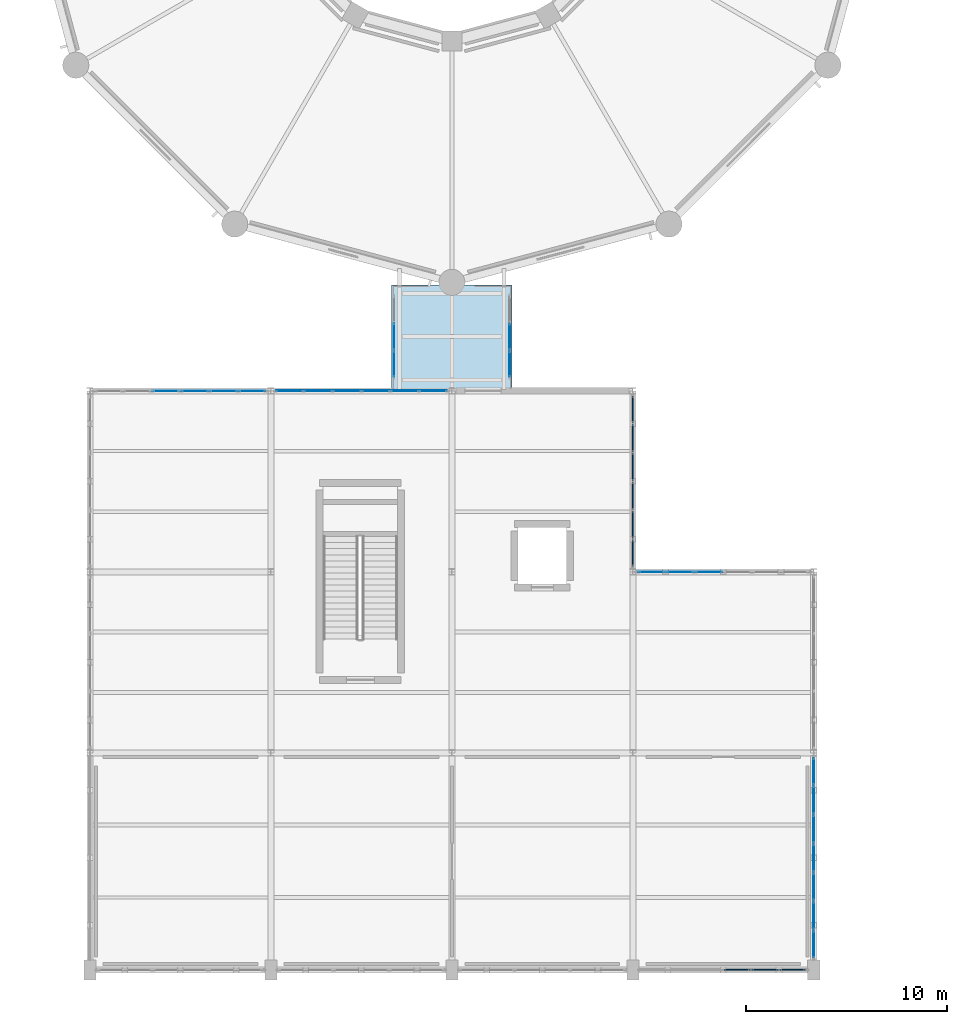
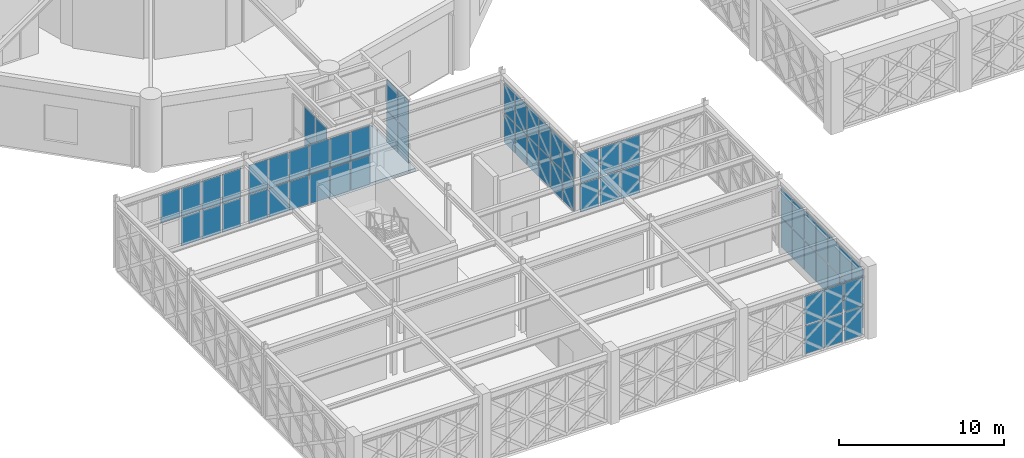
# One storey, part 121 of 155: 65 plates, 1 slab, 8 elements without a shape of their own.
"""IFC4 building model written with IfcOpenShell, lengths in metres."""

from ifc_helpers import new_model, si_unit, direction, frame, origin, origin_2d, place, context, subcontext, project, spatial, polyline, rectangle, outline, extrude, material, layer, layer_set, type_object, element, aggregate, save


model = new_model("IFC4")

# Units and contexts
model_context = context("Model", 3, precision=1e-05, world=origin(), true_north=direction((0.0, 1.0)))
body_context = subcontext(model_context, "Body", "Model", "MODEL_VIEW")
ifc_project = project(units=[si_unit("LENGTHUNIT", "METRE"), si_unit("AREAUNIT", "SQUARE_METRE"), si_unit("VOLUMEUNIT", "CUBIC_METRE"), si_unit("PLANEANGLEUNIT", "RADIAN"), si_unit("MASSUNIT", "GRAM", prefix="KILO")], contexts=[model_context])

# Site, building, storey
site_placement = place(None, origin())
site = spatial("IfcSite", under=ifc_project, at=site_placement, CompositionType="ELEMENT")
building_placement = place(site_placement, origin())
building = spatial("IfcBuilding", under=site, at=building_placement, Name="Haizhuo Lancet Aquarium", CompositionType="ELEMENT")
storey_placement = place(building_placement, frame((0.0, 0.0, 10.800048828125)))
storey = spatial("IfcBuildingStorey", under=building, at=storey_placement, Name="L02", CompositionType="ELEMENT", Elevation=10.800048828125)

# Curtain wall, plates
ifc_material_1 = material(Name="Aluminium 6063-T6", Category="aluminium")
curtain_wall_type_1 = type_object("IfcCurtainWallType", Name="CWO-8610x4460", PredefinedType="NOTDEFINED", material=ifc_material_1)
curtain_wall_1_placement = place(storey_placement, origin())
curtain_wall_1 = element("IfcCurtainWall", 1, at=curtain_wall_1_placement, inside=storey, type_object=curtain_wall_type_1, Name="L02 curtain wall CW-V4-L02-105", PredefinedType="NOTDEFINED")
ifc_material_2 = material(Name="Laminated Low-E Glass", Category="glass")
ifc_layer_1 = layer(ifc_material_2, 0.028076171875)
ifc_layer_set_1 = layer_set([ifc_layer_1], Name="Laminated Low-E Glass")
plate_type_1 = type_object("IfcPlateType", Name="CW-PNL-1", PredefinedType="CURTAIN_PANEL", material=ifc_layer_set_1)
plate_1_placement = place(storey_placement, frame((9.93310546875, -36.0, 0.08056640625), z_axis=(0.0, 0.0, 1.0), x_axis=(1.0, 0.0, 0.0)))
plate_1 = element("IfcPlate", 2, at=plate_1_placement, type_object=plate_type_1, Name="CWO-86x44 panel 1.1", PredefinedType="CURTAIN_PANEL", context=body_context, shape_type="SweptSolid", body=[
    extrude(rectangle(XDim=1.31494140625, YDim=0.028076171875, at=origin_2d()), origin(), (0.0, 0.0, 1.0), 2.111083984375),
])
plate_2_placement = place(storey_placement, frame((9.93310546875, -36.0, 2.271484375), z_axis=(0.0, 0.0, 1.0), x_axis=(1.0, 0.0, 0.0)))
plate_2 = element("IfcPlate", 3, at=plate_2_placement, type_object=plate_type_1, Name="CWO-86x44 panel 1.2", PredefinedType="CURTAIN_PANEL", context=body_context, shape_type="SweptSolid", body=[
    extrude(rectangle(XDim=1.31494140625, YDim=0.028076171875, at=origin_2d()), origin(), (0.0, 0.0, 1.0), 2.111083984375),
])
plate_3_placement = place(storey_placement, frame((11.347900390625, -36.0, 0.08056640625), z_axis=(0.0, 0.0, 1.0), x_axis=(1.0, 0.0, 0.0)))
plate_3 = element("IfcPlate", 4, at=plate_3_placement, type_object=plate_type_1, Name="CWO-86x44 panel 2.1", PredefinedType="CURTAIN_PANEL", context=body_context, shape_type="SweptSolid", body=[
    extrude(rectangle(XDim=1.35498046875, YDim=0.028076171875, at=origin_2d()), origin(), (0.0, 0.0, 1.0), 2.111083984375),
])
plate_4_placement = place(storey_placement, frame((11.347900390625, -36.0, 2.271484375), z_axis=(0.0, 0.0, 1.0), x_axis=(1.0, 0.0, 0.0)))
plate_4 = element("IfcPlate", 5, at=plate_4_placement, type_object=plate_type_1, Name="CWO-86x44 panel 2.2", PredefinedType="CURTAIN_PANEL", context=body_context, shape_type="SweptSolid", body=[
    extrude(rectangle(XDim=1.35498046875, YDim=0.028076171875, at=origin_2d()), origin(), (0.0, 0.0, 1.0), 2.111083984375),
])
plate_5_placement = place(storey_placement, frame((12.781982421875, -36.0, 0.08056640625), z_axis=(0.0, 0.0, 1.0), x_axis=(1.0, 0.0, 0.0)))
plate_5 = element("IfcPlate", 6, at=plate_5_placement, type_object=plate_type_1, Name="CWO-86x44 panel 3.1", PredefinedType="CURTAIN_PANEL", context=body_context, shape_type="SweptSolid", body=[
    extrude(rectangle(XDim=1.35498046875, YDim=0.028076171875, at=origin_2d()), origin(), (0.0, 0.0, 1.0), 2.111083984375),
])
plate_6_placement = place(storey_placement, frame((12.781982421875, -36.0, 2.271484375), z_axis=(0.0, 0.0, 1.0), x_axis=(1.0, 0.0, 0.0)))
plate_6 = element("IfcPlate", 7, at=plate_6_placement, type_object=plate_type_1, Name="CWO-86x44 panel 3.2", PredefinedType="CURTAIN_PANEL", context=body_context, shape_type="SweptSolid", body=[
    extrude(rectangle(XDim=1.35498046875, YDim=0.028076171875, at=origin_2d()), origin(), (0.0, 0.0, 1.0), 2.111083984375),
])
aggregate(curtain_wall_1, [plate_1, plate_2, plate_3, plate_4, plate_5, plate_6])

curtain_wall_2_placement = place(storey_placement, origin())
curtain_wall_2 = element("IfcCurtainWall", 8, at=curtain_wall_2_placement, inside=storey, type_object=curtain_wall_type_1, Name="L02 curtain wall CW-V4-L02-102", PredefinedType="NOTDEFINED")
ifc_layer_2 = layer(ifc_material_2, 0.033935546875)
ifc_layer_set_2 = layer_set([ifc_layer_2], Name="Laminated Low-E Glass")
plate_type_2 = type_object("IfcPlateType", Name="CW-PNL-2", PredefinedType="CURTAIN_PANEL", material=ifc_layer_set_2)
plate_7_placement = place(storey_placement, frame((-14.218017578125, -27.0, 2.271484375), z_axis=(0.0, 0.0, 1.0), x_axis=(1.0, 0.0, 0.0)))
plate_7 = element("IfcPlate", 9, at=plate_7_placement, type_object=plate_type_2, Name="CWO-86x44 panel 3.2", PredefinedType="CURTAIN_PANEL", context=body_context, shape_type="SweptSolid", body=[
    extrude(rectangle(XDim=1.35498046875, YDim=0.033935546875, at=origin_2d()), origin(), (0.0, 0.0, 1.0), 2.111083984375),
])
plate_8_placement = place(storey_placement, frame((-12.782958984375, -27.0, 0.08056640625), z_axis=(0.0, 0.0, 1.0), x_axis=(1.0, 0.0, 0.0)))
plate_8 = element("IfcPlate", 10, at=plate_8_placement, type_object=plate_type_2, Name="CWO-86x44 panel 4.1", PredefinedType="CURTAIN_PANEL", context=body_context, shape_type="SweptSolid", body=[
    extrude(rectangle(XDim=1.35498046875, YDim=0.033935546875, at=origin_2d()), origin(), (0.0, 0.0, 1.0), 2.111083984375),
])
plate_9_placement = place(storey_placement, frame((-12.782958984375, -27.0, 2.271484375), z_axis=(0.0, 0.0, 1.0), x_axis=(1.0, 0.0, 0.0)))
plate_9 = element("IfcPlate", 11, at=plate_9_placement, type_object=plate_type_2, Name="CWO-86x44 panel 4.2", PredefinedType="CURTAIN_PANEL", context=body_context, shape_type="SweptSolid", body=[
    extrude(rectangle(XDim=1.35498046875, YDim=0.033935546875, at=origin_2d()), origin(), (0.0, 0.0, 1.0), 2.111083984375),
])
plate_10_placement = place(storey_placement, frame((-11.347900390625, -27.0, 0.08056640625), z_axis=(0.0, 0.0, 1.0), x_axis=(1.0, 0.0, 0.0)))
plate_10 = element("IfcPlate", 12, at=plate_10_placement, type_object=plate_type_2, Name="CWO-86x44 panel 5.1", PredefinedType="CURTAIN_PANEL", context=body_context, shape_type="SweptSolid", body=[
    extrude(rectangle(XDim=1.35498046875, YDim=0.033935546875, at=origin_2d()), origin(), (0.0, 0.0, 1.0), 2.111083984375),
])
plate_11_placement = place(storey_placement, frame((-11.347900390625, -27.0, 2.271484375), z_axis=(0.0, 0.0, 1.0), x_axis=(1.0, 0.0, 0.0)))
plate_11 = element("IfcPlate", 13, at=plate_11_placement, type_object=plate_type_2, Name="CWO-86x44 panel 5.2", PredefinedType="CURTAIN_PANEL", context=body_context, shape_type="SweptSolid", body=[
    extrude(rectangle(XDim=1.35498046875, YDim=0.033935546875, at=origin_2d()), origin(), (0.0, 0.0, 1.0), 2.111083984375),
])
plate_12_placement = place(storey_placement, frame((-9.931884765625, -27.0, 0.08056640625), z_axis=(0.0, 0.0, 1.0), x_axis=(1.0, 0.0, 0.0)))
plate_12 = element("IfcPlate", 14, at=plate_12_placement, type_object=plate_type_2, Name="CWO-86x44 panel 6.1", PredefinedType="CURTAIN_PANEL", context=body_context, shape_type="SweptSolid", body=[
    extrude(rectangle(XDim=1.31494140625, YDim=0.033935546875, at=origin_2d()), origin(), (0.0, 0.0, 1.0), 2.111083984375),
])
plate_13_placement = place(storey_placement, frame((-9.931884765625, -27.0, 2.271484375), z_axis=(0.0, 0.0, 1.0), x_axis=(1.0, 0.0, 0.0)))
plate_13 = element("IfcPlate", 15, at=plate_13_placement, type_object=plate_type_2, Name="CWO-86x44 panel 6.2", PredefinedType="CURTAIN_PANEL", context=body_context, shape_type="SweptSolid", body=[
    extrude(rectangle(XDim=1.31494140625, YDim=0.033935546875, at=origin_2d()), origin(), (0.0, 0.0, 1.0), 2.111083984375),
])
aggregate(curtain_wall_2, [plate_7, plate_8, plate_9, plate_10, plate_11, plate_12, plate_13])

curtain_wall_type_2 = type_object("IfcCurtainWallType", Name="CWO-4120x4750", PredefinedType="NOTDEFINED", material=ifc_material_1)
curtain_wall_3_placement = place(storey_placement, origin())
curtain_wall_3 = element("IfcCurtainWall", 16, at=curtain_wall_3_placement, inside=storey, type_object=curtain_wall_type_2, Name="L02 curtain wall CW-SB-04-W1", PredefinedType="NOTDEFINED")
plate_14_placement = place(storey_placement, frame((-2.8798828125, -25.656982421875, 0.0654296875), z_axis=(0.0, 0.0, 1.0), x_axis=(0.0, 1.0, 0.0)))
plate_14 = element("IfcPlate", 17, at=plate_14_placement, type_object=plate_type_2, Name="CWO-41x47 panel 1.1", PredefinedType="CURTAIN_PANEL", context=body_context, shape_type="SweptSolid", body=[
    extrude(rectangle(XDim=1.27587890625, YDim=0.033935546875, at=origin_2d()), origin(), (0.0, 0.0, 1.0), 2.277099609375),
])
plate_15_placement = place(storey_placement, frame((-2.8798828125, -25.656982421875, 2.4072265625), z_axis=(0.0, 0.0, 1.0), x_axis=(0.0, 1.0, 0.0)))
plate_15 = element("IfcPlate", 18, at=plate_15_placement, type_object=plate_type_2, Name="CWO-41x47 panel 1.2", PredefinedType="CURTAIN_PANEL", context=body_context, shape_type="SweptSolid", body=[
    extrude(rectangle(XDim=1.27587890625, YDim=0.033935546875, at=origin_2d()), origin(), (0.0, 0.0, 1.0), 2.277099609375),
])
plate_16_placement = place(storey_placement, frame((-2.8798828125, -24.300048828125, 0.0654296875), z_axis=(0.0, 0.0, 1.0), x_axis=(0.0, 1.0, 0.0)))
plate_16 = element("IfcPlate", 19, at=plate_16_placement, type_object=plate_type_2, Name="CWO-41x47 panel 2.1", PredefinedType="CURTAIN_PANEL", context=body_context, shape_type="SweptSolid", body=[
    extrude(rectangle(XDim=1.30810546875, YDim=0.033935546875, at=origin_2d()), origin(), (0.0, 0.0, 1.0), 2.277099609375),
])
plate_17_placement = place(storey_placement, frame((-2.8798828125, -24.300048828125, 2.4072265625), z_axis=(0.0, 0.0, 1.0), x_axis=(0.0, 1.0, 0.0)))
plate_17 = element("IfcPlate", 20, at=plate_17_placement, type_object=plate_type_2, Name="CWO-41x47 panel 2.2", PredefinedType="CURTAIN_PANEL", context=body_context, shape_type="SweptSolid", body=[
    extrude(rectangle(XDim=1.30810546875, YDim=0.033935546875, at=origin_2d()), origin(), (0.0, 0.0, 1.0), 2.277099609375),
])
aggregate(curtain_wall_3, [plate_14, plate_15, plate_16, plate_17])

curtain_wall_4_placement = place(storey_placement, origin())
curtain_wall_4 = element("IfcCurtainWall", 21, at=curtain_wall_4_placement, inside=storey, type_object=curtain_wall_type_1, Name="L02 curtain wall CW-V4-L02-103", PredefinedType="NOTDEFINED")
ifc_layer_3 = layer(ifc_material_2, 0.0419921875)
ifc_layer_set_3 = layer_set([ifc_layer_3], Name="Laminated Low-E Glass")
plate_type_3 = type_object("IfcPlateType", Name="CW-PNL-3", PredefinedType="CURTAIN_PANEL", material=ifc_layer_set_3)
plate_18_placement = place(storey_placement, frame((-8.071044921875, -27.0, 0.0654296875), z_axis=(0.0, 0.0, 1.0), x_axis=(1.0, 0.0, 0.0)))
plate_18 = element("IfcPlate", 22, at=plate_18_placement, type_object=plate_type_3, Name="CWO-86x44 panel 1.1", PredefinedType="CURTAIN_PANEL", context=body_context, shape_type="SweptSolid", body=[
    extrude(rectangle(XDim=1.3369140625, YDim=0.0419921875, at=origin_2d()), origin(), (0.0, 0.0, 1.0), 2.133056640625),
])
plate_19_placement = place(storey_placement, frame((-8.071044921875, -27.0, 2.26318359375), z_axis=(0.0, 0.0, 1.0), x_axis=(1.0, 0.0, 0.0)))
plate_19 = element("IfcPlate", 23, at=plate_19_placement, type_object=plate_type_3, Name="CWO-86x44 panel 1.2", PredefinedType="CURTAIN_PANEL", context=body_context, shape_type="SweptSolid", body=[
    extrude(rectangle(XDim=1.3369140625, YDim=0.0419921875, at=origin_2d()), origin(), (0.0, 0.0, 1.0), 2.133056640625),
])
plate_20_placement = place(storey_placement, frame((-6.652099609375, -27.0, 0.0654296875), z_axis=(0.0, 0.0, 1.0), x_axis=(1.0, 0.0, 0.0)))
plate_20 = element("IfcPlate", 24, at=plate_20_placement, type_object=plate_type_3, Name="CWO-86x44 panel 2.1", PredefinedType="CURTAIN_PANEL", context=body_context, shape_type="SweptSolid", body=[
    extrude(rectangle(XDim=1.3701171875, YDim=0.0419921875, at=origin_2d()), origin(), (0.0, 0.0, 1.0), 2.133056640625),
])
plate_21_placement = place(storey_placement, frame((-6.652099609375, -27.0, 2.26318359375), z_axis=(0.0, 0.0, 1.0), x_axis=(1.0, 0.0, 0.0)))
plate_21 = element("IfcPlate", 25, at=plate_21_placement, type_object=plate_type_3, Name="CWO-86x44 panel 2.2", PredefinedType="CURTAIN_PANEL", context=body_context, shape_type="SweptSolid", body=[
    extrude(rectangle(XDim=1.3701171875, YDim=0.0419921875, at=origin_2d()), origin(), (0.0, 0.0, 1.0), 2.133056640625),
])
plate_22_placement = place(storey_placement, frame((-5.217041015625, -27.0, 0.0654296875), z_axis=(0.0, 0.0, 1.0), x_axis=(1.0, 0.0, 0.0)))
plate_22 = element("IfcPlate", 26, at=plate_22_placement, type_object=plate_type_3, Name="CWO-86x44 panel 3.1", PredefinedType="CURTAIN_PANEL", context=body_context, shape_type="SweptSolid", body=[
    extrude(rectangle(XDim=1.3701171875, YDim=0.0419921875, at=origin_2d()), origin(), (0.0, 0.0, 1.0), 2.133056640625),
])
plate_23_placement = place(storey_placement, frame((-5.217041015625, -27.0, 2.26318359375), z_axis=(0.0, 0.0, 1.0), x_axis=(1.0, 0.0, 0.0)))
plate_23 = element("IfcPlate", 27, at=plate_23_placement, type_object=plate_type_3, Name="CWO-86x44 panel 3.2", PredefinedType="CURTAIN_PANEL", context=body_context, shape_type="SweptSolid", body=[
    extrude(rectangle(XDim=1.3701171875, YDim=0.0419921875, at=origin_2d()), origin(), (0.0, 0.0, 1.0), 2.133056640625),
])
plate_24_placement = place(storey_placement, frame((-3.782958984375, -27.0, 0.0654296875), z_axis=(0.0, 0.0, 1.0), x_axis=(1.0, 0.0, 0.0)))
plate_24 = element("IfcPlate", 28, at=plate_24_placement, type_object=plate_type_3, Name="CWO-86x44 panel 4.1", PredefinedType="CURTAIN_PANEL", context=body_context, shape_type="SweptSolid", body=[
    extrude(rectangle(XDim=1.3701171875, YDim=0.0419921875, at=origin_2d()), origin(), (0.0, 0.0, 1.0), 2.133056640625),
])
plate_25_placement = place(storey_placement, frame((-3.782958984375, -27.0, 2.26318359375), z_axis=(0.0, 0.0, 1.0), x_axis=(1.0, 0.0, 0.0)))
plate_25 = element("IfcPlate", 29, at=plate_25_placement, type_object=plate_type_3, Name="CWO-86x44 panel 4.2", PredefinedType="CURTAIN_PANEL", context=body_context, shape_type="SweptSolid", body=[
    extrude(rectangle(XDim=1.3701171875, YDim=0.0419921875, at=origin_2d()), origin(), (0.0, 0.0, 1.0), 2.133056640625),
])
plate_26_placement = place(storey_placement, frame((-2.347900390625, -27.0, 0.0654296875), z_axis=(0.0, 0.0, 1.0), x_axis=(1.0, 0.0, 0.0)))
plate_26 = element("IfcPlate", 30, at=plate_26_placement, type_object=plate_type_3, Name="CWO-86x44 panel 5.1", PredefinedType="CURTAIN_PANEL", context=body_context, shape_type="SweptSolid", body=[
    extrude(rectangle(XDim=1.3701171875, YDim=0.0419921875, at=origin_2d()), origin(), (0.0, 0.0, 1.0), 2.133056640625),
])
plate_27_placement = place(storey_placement, frame((-2.347900390625, -27.0, 2.26318359375), z_axis=(0.0, 0.0, 1.0), x_axis=(1.0, 0.0, 0.0)))
plate_27 = element("IfcPlate", 31, at=plate_27_placement, type_object=plate_type_3, Name="CWO-86x44 panel 5.2", PredefinedType="CURTAIN_PANEL", context=body_context, shape_type="SweptSolid", body=[
    extrude(rectangle(XDim=1.3701171875, YDim=0.0419921875, at=origin_2d()), origin(), (0.0, 0.0, 1.0), 2.133056640625),
])
plate_28_placement = place(storey_placement, frame((-0.928955078125, -27.0, 0.0654296875), z_axis=(0.0, 0.0, 1.0), x_axis=(1.0, 0.0, 0.0)))
plate_28 = element("IfcPlate", 32, at=plate_28_placement, type_object=plate_type_3, Name="CWO-86x44 panel 6.1", PredefinedType="CURTAIN_PANEL", context=body_context, shape_type="SweptSolid", body=[
    extrude(rectangle(XDim=1.3369140625, YDim=0.0419921875, at=origin_2d()), origin(), (0.0, 0.0, 1.0), 2.133056640625),
])
plate_29_placement = place(storey_placement, frame((-0.928955078125, -27.0, 2.26318359375), z_axis=(0.0, 0.0, 1.0), x_axis=(1.0, 0.0, 0.0)))
plate_29 = element("IfcPlate", 33, at=plate_29_placement, type_object=plate_type_3, Name="CWO-86x44 panel 6.2", PredefinedType="CURTAIN_PANEL", context=body_context, shape_type="SweptSolid", body=[
    extrude(rectangle(XDim=1.3369140625, YDim=0.0419921875, at=origin_2d()), origin(), (0.0, 0.0, 1.0), 2.133056640625),
])
aggregate(curtain_wall_4, [plate_18, plate_19, plate_20, plate_21, plate_22, plate_23, plate_24, plate_25, plate_26, plate_27, plate_28, plate_29])

curtain_wall_type_3 = type_object("IfcCurtainWallType", Name="CWO-10060x4560", PredefinedType="NOTDEFINED", material=ifc_material_1)
curtain_wall_5_placement = place(storey_placement, origin())
curtain_wall_5 = element("IfcCurtainWall", 34, at=curtain_wall_5_placement, inside=storey, type_object=curtain_wall_type_3, Name="L02 curtain wall CW-V4-L02-107", PredefinedType="NOTDEFINED")
plate_30_placement = place(storey_placement, frame((18.0, -45.931884765625, 0.074951171875), z_axis=(0.0, 0.0, 1.0), x_axis=(0.0, -1.0, 0.0)))
plate_30 = element("IfcPlate", 35, at=plate_30_placement, type_object=plate_type_3, Name="CWO-100x45 panel 1.1", PredefinedType="CURTAIN_PANEL", context=body_context, shape_type="SweptSolid", body=[
    extrude(rectangle(XDim=1.324951171875, YDim=0.0419921875, at=origin_2d()), origin(), (0.0, 0.0, 1.0), 2.16796875),
])
plate_31_placement = place(storey_placement, frame((18.0, -45.931884765625, 2.318359375), z_axis=(0.0, 0.0, 1.0), x_axis=(0.0, -1.0, 0.0)))
plate_31 = element("IfcPlate", 36, at=plate_31_placement, type_object=plate_type_3, Name="CWO-100x45 panel 1.2", PredefinedType="CURTAIN_PANEL", context=body_context, shape_type="SweptSolid", body=[
    extrude(rectangle(XDim=1.324951171875, YDim=0.0419921875, at=origin_2d()), origin(), (0.0, 0.0, 1.0), 2.1689453125),
])
plate_32_placement = place(storey_placement, frame((18.0, -47.35107421875, 0.074951171875), z_axis=(0.0, 0.0, 1.0), x_axis=(0.0, -1.0, 0.0)))
plate_32 = element("IfcPlate", 37, at=plate_32_placement, type_object=plate_type_3, Name="CWO-100x45 panel 2.1", PredefinedType="CURTAIN_PANEL", context=body_context, shape_type="SweptSolid", body=[
    extrude(rectangle(XDim=1.362060546875, YDim=0.0419921875, at=origin_2d()), origin(), (0.0, 0.0, 1.0), 2.16796875),
])
plate_33_placement = place(storey_placement, frame((18.0, -47.35107421875, 2.318359375), z_axis=(0.0, 0.0, 1.0), x_axis=(0.0, -1.0, 0.0)))
plate_33 = element("IfcPlate", 38, at=plate_33_placement, type_object=plate_type_3, Name="CWO-100x45 panel 2.2", PredefinedType="CURTAIN_PANEL", context=body_context, shape_type="SweptSolid", body=[
    extrude(rectangle(XDim=1.362060546875, YDim=0.0419921875, at=origin_2d()), origin(), (0.0, 0.0, 1.0), 2.1689453125),
])
plate_34_placement = place(storey_placement, frame((18.0, -48.7880859375, 0.074951171875), z_axis=(0.0, 0.0, 1.0), x_axis=(0.0, -1.0, 0.0)))
plate_34 = element("IfcPlate", 39, at=plate_34_placement, type_object=plate_type_3, Name="CWO-100x45 panel 3.1", PredefinedType="CURTAIN_PANEL", context=body_context, shape_type="SweptSolid", body=[
    extrude(rectangle(XDim=1.362060546875, YDim=0.0419921875, at=origin_2d()), origin(), (0.0, 0.0, 1.0), 2.16796875),
])
plate_35_placement = place(storey_placement, frame((18.0, -48.7880859375, 2.318359375), z_axis=(0.0, 0.0, 1.0), x_axis=(0.0, -1.0, 0.0)))
plate_35 = element("IfcPlate", 40, at=plate_35_placement, type_object=plate_type_3, Name="CWO-100x45 panel 3.2", PredefinedType="CURTAIN_PANEL", context=body_context, shape_type="SweptSolid", body=[
    extrude(rectangle(XDim=1.362060546875, YDim=0.0419921875, at=origin_2d()), origin(), (0.0, 0.0, 1.0), 2.1689453125),
])
plate_36_placement = place(storey_placement, frame((18.0, -50.22509765625, 0.074951171875), z_axis=(0.0, 0.0, 1.0), x_axis=(0.0, -1.0, 0.0)))
plate_36 = element("IfcPlate", 41, at=plate_36_placement, type_object=plate_type_3, Name="CWO-100x45 panel 4.1", PredefinedType="CURTAIN_PANEL", context=body_context, shape_type="SweptSolid", body=[
    extrude(rectangle(XDim=1.362060546875, YDim=0.0419921875, at=origin_2d()), origin(), (0.0, 0.0, 1.0), 2.16796875),
])
plate_37_placement = place(storey_placement, frame((18.0, -50.22509765625, 2.318359375), z_axis=(0.0, 0.0, 1.0), x_axis=(0.0, -1.0, 0.0)))
plate_37 = element("IfcPlate", 42, at=plate_37_placement, type_object=plate_type_3, Name="CWO-100x45 panel 4.2", PredefinedType="CURTAIN_PANEL", context=body_context, shape_type="SweptSolid", body=[
    extrude(rectangle(XDim=1.362060546875, YDim=0.0419921875, at=origin_2d()), origin(), (0.0, 0.0, 1.0), 2.1689453125),
])
plate_38_placement = place(storey_placement, frame((18.0, -51.662109375, 0.074951171875), z_axis=(0.0, 0.0, 1.0), x_axis=(0.0, -1.0, 0.0)))
plate_38 = element("IfcPlate", 43, at=plate_38_placement, type_object=plate_type_3, Name="CWO-100x45 panel 5.1", PredefinedType="CURTAIN_PANEL", context=body_context, shape_type="SweptSolid", body=[
    extrude(rectangle(XDim=1.362060546875, YDim=0.0419921875, at=origin_2d()), origin(), (0.0, 0.0, 1.0), 2.16796875),
])
plate_39_placement = place(storey_placement, frame((18.0, -51.662109375, 2.318359375), z_axis=(0.0, 0.0, 1.0), x_axis=(0.0, -1.0, 0.0)))
plate_39 = element("IfcPlate", 44, at=plate_39_placement, type_object=plate_type_3, Name="CWO-100x45 panel 5.2", PredefinedType="CURTAIN_PANEL", context=body_context, shape_type="SweptSolid", body=[
    extrude(rectangle(XDim=1.362060546875, YDim=0.0419921875, at=origin_2d()), origin(), (0.0, 0.0, 1.0), 2.1689453125),
])
plate_40_placement = place(storey_placement, frame((18.0, -53.09912109375, 0.074951171875), z_axis=(0.0, 0.0, 1.0), x_axis=(0.0, -1.0, 0.0)))
plate_40 = element("IfcPlate", 45, at=plate_40_placement, type_object=plate_type_3, Name="CWO-100x45 panel 6.1", PredefinedType="CURTAIN_PANEL", context=body_context, shape_type="SweptSolid", body=[
    extrude(rectangle(XDim=1.362060546875, YDim=0.0419921875, at=origin_2d()), origin(), (0.0, 0.0, 1.0), 2.16796875),
])
plate_41_placement = place(storey_placement, frame((18.0, -53.09912109375, 2.318359375), z_axis=(0.0, 0.0, 1.0), x_axis=(0.0, -1.0, 0.0)))
plate_41 = element("IfcPlate", 46, at=plate_41_placement, type_object=plate_type_3, Name="CWO-100x45 panel 6.2", PredefinedType="CURTAIN_PANEL", context=body_context, shape_type="SweptSolid", body=[
    extrude(rectangle(XDim=1.362060546875, YDim=0.0419921875, at=origin_2d()), origin(), (0.0, 0.0, 1.0), 2.1689453125),
])
plate_42_placement = place(storey_placement, frame((18.0, -54.51806640625, 0.074951171875), z_axis=(0.0, 0.0, 1.0), x_axis=(0.0, -1.0, 0.0)))
plate_42 = element("IfcPlate", 47, at=plate_42_placement, type_object=plate_type_3, Name="CWO-100x45 panel 7.1", PredefinedType="CURTAIN_PANEL", context=body_context, shape_type="SweptSolid", body=[
    extrude(rectangle(XDim=1.324951171875, YDim=0.0419921875, at=origin_2d()), origin(), (0.0, 0.0, 1.0), 2.16796875),
])
plate_43_placement = place(storey_placement, frame((18.0, -54.51806640625, 2.318359375), z_axis=(0.0, 0.0, 1.0), x_axis=(0.0, -1.0, 0.0)))
plate_43 = element("IfcPlate", 48, at=plate_43_placement, type_object=plate_type_3, Name="CWO-100x45 panel 7.2", PredefinedType="CURTAIN_PANEL", context=body_context, shape_type="SweptSolid", body=[
    extrude(rectangle(XDim=1.324951171875, YDim=0.0419921875, at=origin_2d()), origin(), (0.0, 0.0, 1.0), 2.1689453125),
])
aggregate(curtain_wall_5, [plate_30, plate_31, plate_32, plate_33, plate_34, plate_35, plate_36, plate_37, plate_38, plate_39, plate_40, plate_41, plate_42, plate_43])

curtain_wall_6_placement = place(storey_placement, origin())
curtain_wall_6 = element("IfcCurtainWall", 49, at=curtain_wall_6_placement, inside=storey, type_object=curtain_wall_type_2, Name="L02 curtain wall CW-SB-04-E1", PredefinedType="NOTDEFINED")
plate_44_placement = place(storey_placement, frame((2.8798828125, -24.300048828125, 0.07470703125), z_axis=(0.0, 0.0, 1.0), x_axis=(0.0, -1.0, 0.0)))
plate_44 = element("IfcPlate", 50, at=plate_44_placement, type_object=plate_type_3, Name="CWO-41x47 panel 2.1", PredefinedType="CURTAIN_PANEL", context=body_context, shape_type="SweptSolid", body=[
    extrude(rectangle(XDim=1.298095703125, YDim=0.0419921875, at=origin_2d()), origin(), (0.0, 0.0, 1.0), 2.262939453125),
])
plate_45_placement = place(storey_placement, frame((2.8798828125, -24.300048828125, 2.41259765625), z_axis=(0.0, 0.0, 1.0), x_axis=(0.0, -1.0, 0.0)))
plate_45 = element("IfcPlate", 51, at=plate_45_placement, type_object=plate_type_3, Name="CWO-41x47 panel 2.2", PredefinedType="CURTAIN_PANEL", context=body_context, shape_type="SweptSolid", body=[
    extrude(rectangle(XDim=1.298095703125, YDim=0.0419921875, at=origin_2d()), origin(), (0.0, 0.0, 1.0), 2.262939453125),
])
plate_46_placement = place(storey_placement, frame((2.8798828125, -25.655029296875, 0.07470703125), z_axis=(0.0, 0.0, 1.0), x_axis=(0.0, -1.0, 0.0)))
plate_46 = element("IfcPlate", 52, at=plate_46_placement, type_object=plate_type_3, Name="CWO-41x47 panel 3.1", PredefinedType="CURTAIN_PANEL", context=body_context, shape_type="SweptSolid", body=[
    extrude(rectangle(XDim=1.260986328125, YDim=0.0419921875, at=origin_2d()), origin(), (0.0, 0.0, 1.0), 2.262939453125),
])
plate_47_placement = place(storey_placement, frame((2.8798828125, -25.655029296875, 2.41259765625), z_axis=(0.0, 0.0, 1.0), x_axis=(0.0, -1.0, 0.0)))
plate_47 = element("IfcPlate", 53, at=plate_47_placement, type_object=plate_type_3, Name="CWO-41x47 panel 3.2", PredefinedType="CURTAIN_PANEL", context=body_context, shape_type="SweptSolid", body=[
    extrude(rectangle(XDim=1.260986328125, YDim=0.0419921875, at=origin_2d()), origin(), (0.0, 0.0, 1.0), 2.262939453125),
])
aggregate(curtain_wall_6, [plate_44, plate_45, plate_46, plate_47])

curtain_wall_type_4 = type_object("IfcCurtainWallType", Name="CWO-8610x4560", PredefinedType="NOTDEFINED", material=ifc_material_1)
curtain_wall_7_placement = place(storey_placement, origin())
curtain_wall_7 = element("IfcCurtainWall", 54, at=curtain_wall_7_placement, inside=storey, type_object=curtain_wall_type_4, Name="L02 curtain wall CW-V4-L02-104", PredefinedType="NOTDEFINED")
ifc_layer_4 = layer(ifc_material_2, 0.052001953125)
ifc_layer_set_4 = layer_set([ifc_layer_4], Name="Laminated Low-E Glass")
plate_type_4 = type_object("IfcPlateType", Name="CW-PNL-4", PredefinedType="CURTAIN_PANEL", material=ifc_layer_set_4)
plate_48_placement = place(storey_placement, frame((9.0, -27.930908203125, 0.074951171875), z_axis=(0.0, 0.0, 1.0), x_axis=(0.0, -1.0, 0.0)))
plate_48 = element("IfcPlate", 55, at=plate_48_placement, type_object=plate_type_4, Name="CWO-86x45 panel 1.1", PredefinedType="CURTAIN_PANEL", context=body_context, shape_type="SweptSolid", body=[
    extrude(rectangle(XDim=1.322021484375, YDim=0.052001953125, at=origin_2d()), origin(), (0.0, 0.0, 1.0), 2.16796875),
])
plate_49_placement = place(storey_placement, frame((9.0, -27.930908203125, 2.318359375), z_axis=(0.0, 0.0, 1.0), x_axis=(0.0, -1.0, 0.0)))
plate_49 = element("IfcPlate", 56, at=plate_49_placement, type_object=plate_type_4, Name="CWO-86x45 panel 1.2", PredefinedType="CURTAIN_PANEL", context=body_context, shape_type="SweptSolid", body=[
    extrude(rectangle(XDim=1.322021484375, YDim=0.052001953125, at=origin_2d()), origin(), (0.0, 0.0, 1.0), 2.1689453125),
])
plate_50_placement = place(storey_placement, frame((9.0, -29.347900390625, 0.074951171875), z_axis=(0.0, 0.0, 1.0), x_axis=(0.0, -1.0, 0.0)))
plate_50 = element("IfcPlate", 57, at=plate_50_placement, type_object=plate_type_4, Name="CWO-86x45 panel 2.1", PredefinedType="CURTAIN_PANEL", context=body_context, shape_type="SweptSolid", body=[
    extrude(rectangle(XDim=1.360107421875, YDim=0.052001953125, at=origin_2d()), origin(), (0.0, 0.0, 1.0), 2.16796875),
])
plate_51_placement = place(storey_placement, frame((9.0, -29.347900390625, 2.318359375), z_axis=(0.0, 0.0, 1.0), x_axis=(0.0, -1.0, 0.0)))
plate_51 = element("IfcPlate", 58, at=plate_51_placement, type_object=plate_type_4, Name="CWO-86x45 panel 2.2", PredefinedType="CURTAIN_PANEL", context=body_context, shape_type="SweptSolid", body=[
    extrude(rectangle(XDim=1.360107421875, YDim=0.052001953125, at=origin_2d()), origin(), (0.0, 0.0, 1.0), 2.1689453125),
])
plate_52_placement = place(storey_placement, frame((9.0, -30.781982421875, 0.074951171875), z_axis=(0.0, 0.0, 1.0), x_axis=(0.0, -1.0, 0.0)))
plate_52 = element("IfcPlate", 59, at=plate_52_placement, type_object=plate_type_4, Name="CWO-86x45 panel 3.1", PredefinedType="CURTAIN_PANEL", context=body_context, shape_type="SweptSolid", body=[
    extrude(rectangle(XDim=1.360107421875, YDim=0.052001953125, at=origin_2d()), origin(), (0.0, 0.0, 1.0), 2.16796875),
])
plate_53_placement = place(storey_placement, frame((9.0, -30.781982421875, 2.318359375), z_axis=(0.0, 0.0, 1.0), x_axis=(0.0, -1.0, 0.0)))
plate_53 = element("IfcPlate", 60, at=plate_53_placement, type_object=plate_type_4, Name="CWO-86x45 panel 3.2", PredefinedType="CURTAIN_PANEL", context=body_context, shape_type="SweptSolid", body=[
    extrude(rectangle(XDim=1.360107421875, YDim=0.052001953125, at=origin_2d()), origin(), (0.0, 0.0, 1.0), 2.1689453125),
])
plate_54_placement = place(storey_placement, frame((9.0, -32.218017578125, 0.074951171875), z_axis=(0.0, 0.0, 1.0), x_axis=(0.0, -1.0, 0.0)))
plate_54 = element("IfcPlate", 61, at=plate_54_placement, type_object=plate_type_4, Name="CWO-86x45 panel 4.1", PredefinedType="CURTAIN_PANEL", context=body_context, shape_type="SweptSolid", body=[
    extrude(rectangle(XDim=1.360107421875, YDim=0.052001953125, at=origin_2d()), origin(), (0.0, 0.0, 1.0), 2.16796875),
])
plate_55_placement = place(storey_placement, frame((9.0, -32.218017578125, 2.318359375), z_axis=(0.0, 0.0, 1.0), x_axis=(0.0, -1.0, 0.0)))
plate_55 = element("IfcPlate", 62, at=plate_55_placement, type_object=plate_type_4, Name="CWO-86x45 panel 4.2", PredefinedType="CURTAIN_PANEL", context=body_context, shape_type="SweptSolid", body=[
    extrude(rectangle(XDim=1.360107421875, YDim=0.052001953125, at=origin_2d()), origin(), (0.0, 0.0, 1.0), 2.1689453125),
])
plate_56_placement = place(storey_placement, frame((9.0, -33.653076171875, 0.074951171875), z_axis=(0.0, 0.0, 1.0), x_axis=(0.0, -1.0, 0.0)))
plate_56 = element("IfcPlate", 63, at=plate_56_placement, type_object=plate_type_4, Name="CWO-86x45 panel 5.1", PredefinedType="CURTAIN_PANEL", context=body_context, shape_type="SweptSolid", body=[
    extrude(rectangle(XDim=1.360107421875, YDim=0.052001953125, at=origin_2d()), origin(), (0.0, 0.0, 1.0), 2.16796875),
])
plate_57_placement = place(storey_placement, frame((9.0, -33.653076171875, 2.318359375), z_axis=(0.0, 0.0, 1.0), x_axis=(0.0, -1.0, 0.0)))
plate_57 = element("IfcPlate", 64, at=plate_57_placement, type_object=plate_type_4, Name="CWO-86x45 panel 5.2", PredefinedType="CURTAIN_PANEL", context=body_context, shape_type="SweptSolid", body=[
    extrude(rectangle(XDim=1.360107421875, YDim=0.052001953125, at=origin_2d()), origin(), (0.0, 0.0, 1.0), 2.1689453125),
])
plate_58_placement = place(storey_placement, frame((9.0, -35.069091796875, 0.074951171875), z_axis=(0.0, 0.0, 1.0), x_axis=(0.0, -1.0, 0.0)))
plate_58 = element("IfcPlate", 65, at=plate_58_placement, type_object=plate_type_4, Name="CWO-86x45 panel 6.1", PredefinedType="CURTAIN_PANEL", context=body_context, shape_type="SweptSolid", body=[
    extrude(rectangle(XDim=1.322998046875, YDim=0.052001953125, at=origin_2d()), origin(), (0.0, 0.0, 1.0), 2.16796875),
])
plate_59_placement = place(storey_placement, frame((9.0, -35.069091796875, 2.318359375), z_axis=(0.0, 0.0, 1.0), x_axis=(0.0, -1.0, 0.0)))
plate_59 = element("IfcPlate", 66, at=plate_59_placement, type_object=plate_type_4, Name="CWO-86x45 panel 6.2", PredefinedType="CURTAIN_PANEL", context=body_context, shape_type="SweptSolid", body=[
    extrude(rectangle(XDim=1.322998046875, YDim=0.052001953125, at=origin_2d()), origin(), (0.0, 0.0, 1.0), 2.1689453125),
])
aggregate(curtain_wall_7, [plate_48, plate_49, plate_50, plate_51, plate_52, plate_53, plate_54, plate_55, plate_56, plate_57, plate_58, plate_59])

curtain_wall_type_5 = type_object("IfcCurtainWallType", Name="CWO-8310x4460", PredefinedType="NOTDEFINED", material=ifc_material_1)
curtain_wall_8_placement = place(storey_placement, origin())
curtain_wall_8 = element("IfcCurtainWall", 67, at=curtain_wall_8_placement, inside=storey, type_object=curtain_wall_type_5, Name="L02 curtain wall CW-V4-L02-108", PredefinedType="NOTDEFINED")
plate_60_placement = place(storey_placement, frame((16.943115234375, -55.800048828125, 0.08056640625), z_axis=(0.0, 0.0, 1.0), x_axis=(-1.0, 0.0, 0.0)))
plate_60 = element("IfcPlate", 68, at=plate_60_placement, type_object=plate_type_4, Name="CWO-83x44 panel 1.1", PredefinedType="CURTAIN_PANEL", context=body_context, shape_type="SweptSolid", body=[
    extrude(rectangle(XDim=1.264892578125, YDim=0.052001953125, at=origin_2d()), origin(), (0.0, 0.0, 1.0), 2.111083984375),
])
plate_61_placement = place(storey_placement, frame((16.943115234375, -55.800048828125, 2.271484375), z_axis=(0.0, 0.0, 1.0), x_axis=(-1.0, 0.0, 0.0)))
plate_61 = element("IfcPlate", 69, at=plate_61_placement, type_object=plate_type_4, Name="CWO-83x44 panel 1.2", PredefinedType="CURTAIN_PANEL", context=body_context, shape_type="SweptSolid", body=[
    extrude(rectangle(XDim=1.264892578125, YDim=0.052001953125, at=origin_2d()), origin(), (0.0, 0.0, 1.0), 2.111083984375),
])
plate_62_placement = place(storey_placement, frame((15.577880859375, -55.800048828125, 0.08056640625), z_axis=(0.0, 0.0, 1.0), x_axis=(-1.0, 0.0, 0.0)))
plate_62 = element("IfcPlate", 70, at=plate_62_placement, type_object=plate_type_4, Name="CWO-83x44 panel 2.1", PredefinedType="CURTAIN_PANEL", context=body_context, shape_type="SweptSolid", body=[
    extrude(rectangle(XDim=1.304931640625, YDim=0.052001953125, at=origin_2d()), origin(), (0.0, 0.0, 1.0), 2.111083984375),
])
plate_63_placement = place(storey_placement, frame((15.577880859375, -55.800048828125, 2.271484375), z_axis=(0.0, 0.0, 1.0), x_axis=(-1.0, 0.0, 0.0)))
plate_63 = element("IfcPlate", 71, at=plate_63_placement, type_object=plate_type_4, Name="CWO-83x44 panel 2.2", PredefinedType="CURTAIN_PANEL", context=body_context, shape_type="SweptSolid", body=[
    extrude(rectangle(XDim=1.304931640625, YDim=0.052001953125, at=origin_2d()), origin(), (0.0, 0.0, 1.0), 2.111083984375),
])
plate_64_placement = place(storey_placement, frame((14.193115234375, -55.800048828125, 0.08056640625), z_axis=(0.0, 0.0, 1.0), x_axis=(-1.0, 0.0, 0.0)))
plate_64 = element("IfcPlate", 72, at=plate_64_placement, type_object=plate_type_4, Name="CWO-83x44 panel 3.1", PredefinedType="CURTAIN_PANEL", context=body_context, shape_type="SweptSolid", body=[
    extrude(rectangle(XDim=1.304931640625, YDim=0.052001953125, at=origin_2d()), origin(), (0.0, 0.0, 1.0), 2.111083984375),
])
plate_65_placement = place(storey_placement, frame((14.193115234375, -55.800048828125, 2.271484375), z_axis=(0.0, 0.0, 1.0), x_axis=(-1.0, 0.0, 0.0)))
plate_65 = element("IfcPlate", 73, at=plate_65_placement, type_object=plate_type_4, Name="CWO-83x44 panel 3.2", PredefinedType="CURTAIN_PANEL", context=body_context, shape_type="SweptSolid", body=[
    extrude(rectangle(XDim=1.304931640625, YDim=0.052001953125, at=origin_2d()), origin(), (0.0, 0.0, 1.0), 2.111083984375),
])
aggregate(curtain_wall_8, [plate_60, plate_61, plate_62, plate_63, plate_64, plate_65])

# Slab
ifc_material_3 = material(Name="Concrete C40/50", Category="concrete")
ifc_layer_5 = layer(ifc_material_3, 0.219970703125)
ifc_layer_set_5 = layer_set([ifc_layer_5], Name="Concrete C40/50")
slab_type = type_object("IfcSlabType", Name="SLB-BRG-220", PredefinedType="FLOOR", material=ifc_layer_set_5)
slab_placement = place(storey_placement, frame((0.0, 0.0, -0.219970703125)))
element("IfcSlab", 74, at=slab_placement, inside=storey, type_object=slab_type, Name="L02 structural slab SL-SB-04-FL-01", PredefinedType="FLOOR", context=body_context, shape_type="SweptSolid", body=[
    extrude(outline(polyline([(-3.0, -26.8798828125), (3.0, -26.8798828125), (3.0, -21.719970703125), (-3.0, -21.719970703125), (-3.0, -26.8798828125)])), origin(), (0.0, 0.0, 1.0), 0.219970703125),
])

save(model, "model.ifc")
